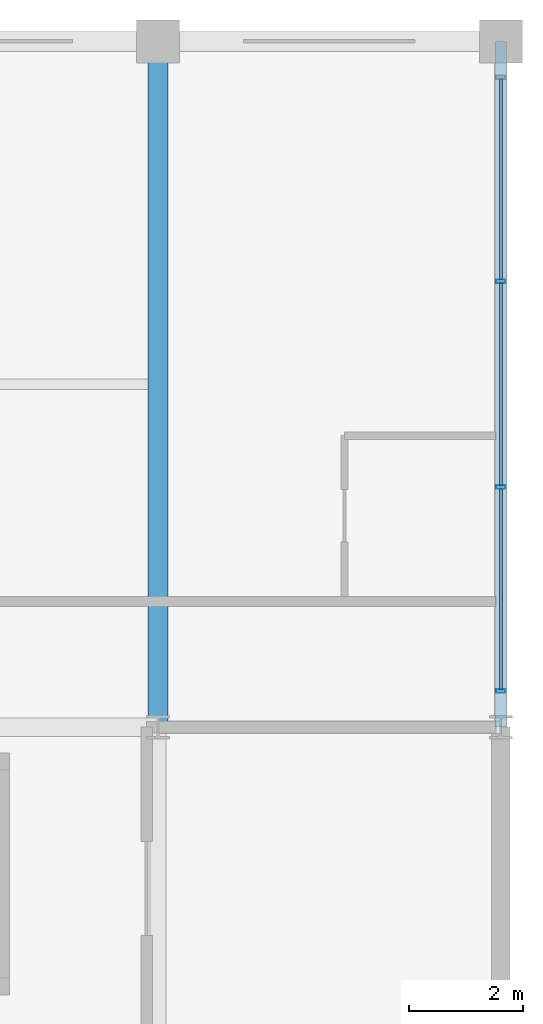
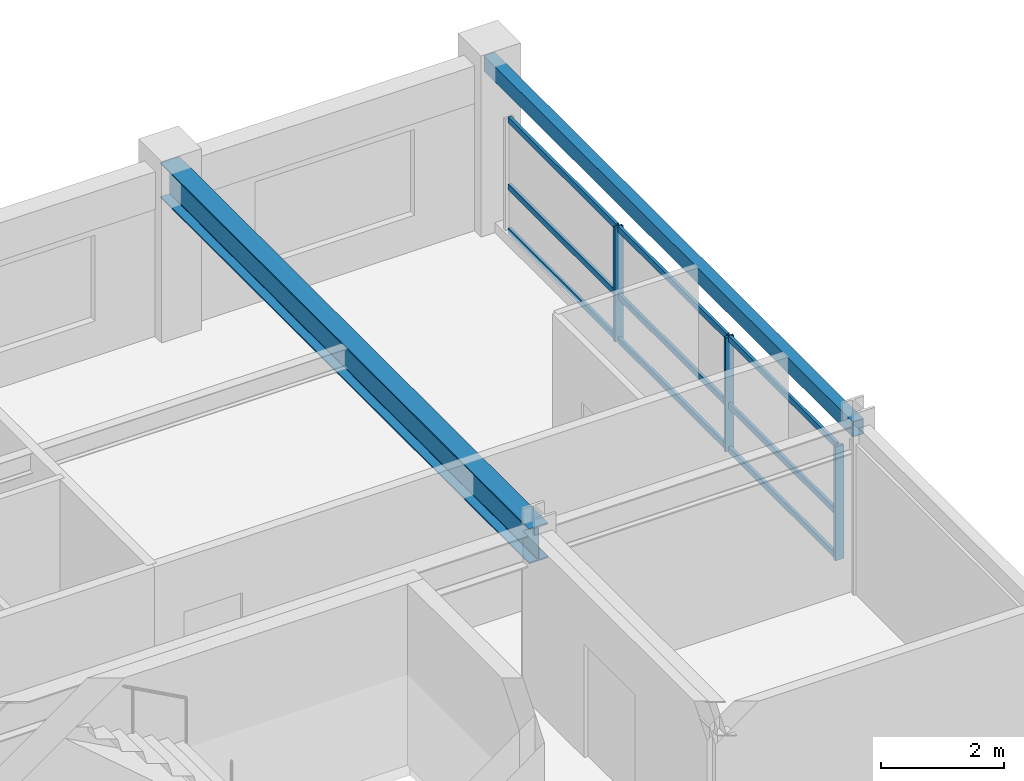
# One storey, part 12 of 21: 12 members, 2 beams, 1 element without a shape of its own.
"""IFC4 building model written with IfcOpenShell, lengths in metres."""

from ifc_helpers import new_model, si_unit, direction, frame, origin, origin_2d, place, context, subcontext, project, spatial, hollow_rectangle, i_section, extrude, material, material_profile, profile_set, type_object, element, aggregate, save


model = new_model("IFC4")

# Units and contexts
model_context = context("Model", 3, precision=1e-05, world=origin(), true_north=direction((0.0, 1.0)))
body_context = subcontext(model_context, "Body", "Model", "MODEL_VIEW")
ifc_project = project(units=[si_unit("LENGTHUNIT", "METRE"), si_unit("AREAUNIT", "SQUARE_METRE"), si_unit("VOLUMEUNIT", "CUBIC_METRE"), si_unit("PLANEANGLEUNIT", "RADIAN"), si_unit("MASSUNIT", "GRAM", prefix="KILO")], contexts=[model_context])

# Site, building, storey
site_placement = place(None, origin())
site = spatial("IfcSite", under=ifc_project, at=site_placement, CompositionType="ELEMENT")
building_placement = place(site_placement, origin())
building = spatial("IfcBuilding", under=site, at=building_placement, Name="Kaldorvane Square Convention Centre", CompositionType="ELEMENT")
storey_placement = place(building_placement, frame((0.0, 0.0, 49.19999694824219)))
storey = spatial("IfcBuildingStorey", under=building, at=storey_placement, Name="L11", CompositionType="ELEMENT", Elevation=49.19999694824219)

# Beams
ifc_material_1 = material(Name="Steel ASTM A992 Gr. 50", Category="steel")
ifc_material_profile_1 = material_profile(ifc_material_1, i_section(OverallWidth=0.354705810546875, OverallDepth=0.69549560546875, WebThickness=0.0153961181640625, FlangeThickness=0.0251007080078125, FilletRadius=0.01519775390625, at=origin_2d()), Name="W27X146")
ifc_profile_set_1 = profile_set([ifc_material_profile_1], Name="Steel ASTM A992 Gr. 50")
beam_type_1 = type_object("IfcBeamType", Name="BM-GR-W27X146", PredefinedType="BEAM", material=ifc_profile_set_1)
beam_1_placement = place(storey_placement, frame((78.0, 105.0, 2.9383087158203125), z_axis=(0.0, 1.0, 0.0), x_axis=(-1.0, 0.0, 0.0)))
element("IfcBeam", 1, at=beam_1_placement, inside=storey, type_object=beam_type_1, Name="Transverse Girder (L11)", PredefinedType="BEAM", context=body_context, shape_type="SweptSolid", body=[
    extrude(i_section(OverallWidth=0.354705810546875, OverallDepth=0.69549560546875, WebThickness=0.0153961181640625, FlangeThickness=0.0251007080078125, FilletRadius=0.01519775390625, at=origin_2d()), origin(), (0.0, 0.0, 1.0), 12.0),
])
ifc_material_2 = material(Name="Steel ASTM A500 Gr. C", Category="steel")
ifc_material_profile_2 = material_profile(ifc_material_2, hollow_rectangle(XDim=0.2032012939453125, YDim=0.3047943115234375, WallThickness=0.0088958740234375, at=origin_2d()), Name="HSS12X8X3/8")
ifc_profile_set_2 = profile_set([ifc_material_profile_2], Name="Steel ASTM A500 Gr. C")
beam_type_2 = type_object("IfcBeamType", Name="BM-SP-HSS12", PredefinedType="SPANDREL", material=ifc_profile_set_2)
beam_2_placement = place(storey_placement, frame((84.0, 105.0, 3.13360595703125), z_axis=(0.0, 1.0, 0.0), x_axis=(-1.0, 0.0, 0.0)))
element("IfcBeam", 2, at=beam_2_placement, inside=storey, type_object=beam_type_2, Name="End Spandrel (L11)", PredefinedType="SPANDREL", context=body_context, shape_type="SweptSolid", body=[
    extrude(hollow_rectangle(XDim=0.2032012939453125, YDim=0.3047943115234375, WallThickness=0.0088958740234375, at=origin_2d()), origin(), (0.0, 0.0, 1.0), 12.0),
])

# Curtain wall, members
ifc_material_3 = material(Name="Anodized Aluminum and Low-E Insulated Glazing", Category="aluminium")
curtain_wall_type = type_object("IfcCurtainWallType", Name="CW-UNI-HTL-A", PredefinedType="USERDEFINED", material=ifc_material_3)
curtain_wall_placement = place(storey_placement, origin())
curtain_wall = element("IfcCurtainWall", 3, at=curtain_wall_placement, inside=storey, type_object=curtain_wall_type, Name="Curtain Wall CW-10 (L11)", ObjectType="UNITISED GLAZING", PredefinedType="USERDEFINED")
ifc_material_profile_3 = material_profile(ifc_material_3, hollow_rectangle(XDim=0.05999755859375, YDim=0.160003662109375, WallThickness=0.003204345703125, at=origin_2d()), Name="CWM-160X60")
ifc_profile_set_3 = profile_set([ifc_material_profile_3], Name="Anodized Aluminum and Low-E Insulated Glazing")
member_type_1 = type_object("IfcMemberType", Name="CW-MUL-160", PredefinedType="MULLION", material=ifc_profile_set_3)
member_1_placement = place(storey_placement, frame((84.0, 105.6300048828125, 0.1500091552734375), z_axis=(0.0, 0.0, 1.0), x_axis=(0.0, 1.0, 0.0)))
member_1 = element("IfcMember", 4, at=member_1_placement, type_object=member_type_1, Name="CW-10 mullion 1", PredefinedType="MULLION", context=body_context, shape_type="SweptSolid", body=[
    extrude(hollow_rectangle(XDim=0.05999755859375, YDim=0.160003662109375, WallThickness=0.003204345703125, at=origin_2d()), origin(), (0.0, 0.0, 1.0), 2.2599945068359375),
])
member_2_placement = place(storey_placement, frame((84.0, 109.19999694824219, 0.1500091552734375), z_axis=(0.0, 0.0, 1.0), x_axis=(0.0, 1.0, 0.0)))
member_2 = element("IfcMember", 5, at=member_2_placement, type_object=member_type_1, Name="CW-10 mullion 2", PredefinedType="MULLION", context=body_context, shape_type="SweptSolid", body=[
    extrude(hollow_rectangle(XDim=0.05999755859375, YDim=0.160003662109375, WallThickness=0.003204345703125, at=origin_2d()), origin(), (0.0, 0.0, 1.0), 2.2599945068359375),
])
member_3_placement = place(storey_placement, frame((84.0, 112.80000305175781, 0.1500091552734375), z_axis=(0.0, 0.0, 1.0), x_axis=(0.0, 1.0, 0.0)))
member_3 = element("IfcMember", 6, at=member_3_placement, type_object=member_type_1, Name="CW-10 mullion 3", PredefinedType="MULLION", context=body_context, shape_type="SweptSolid", body=[
    extrude(hollow_rectangle(XDim=0.05999755859375, YDim=0.160003662109375, WallThickness=0.003204345703125, at=origin_2d()), origin(), (0.0, 0.0, 1.0), 2.2599945068359375),
])
ifc_material_profile_4 = material_profile(ifc_material_3, hollow_rectangle(XDim=0.05499267578125, YDim=0.1199951171875, WallThickness=0.0030059814453125, at=origin_2d()), Name="CWT-120X55")
ifc_profile_set_4 = profile_set([ifc_material_profile_4], Name="Anodized Aluminum and Low-E Insulated Glazing")
member_type_2 = type_object("IfcMemberType", Name="CW-TRN-120", PredefinedType="USERDEFINED", material=ifc_profile_set_4)
member_4_placement = place(storey_placement, frame((84.0, 105.66000366210938, 0.1775054931640625), z_axis=(0.0, 1.0, 0.0), x_axis=(-1.0, 0.0, 0.0)))
member_4 = element("IfcMember", 7, at=member_4_placement, type_object=member_type_2, Name="CW-10 transom 1.1", ObjectType="TRANSOM", PredefinedType="USERDEFINED", context=body_context, shape_type="SweptSolid", body=[
    extrude(hollow_rectangle(XDim=0.05499267578125, YDim=0.1199951171875, WallThickness=0.0030059814453125, at=origin_2d()), origin(), (0.0, 0.0, 1.0), 3.5099945068359375),
])
member_5_placement = place(storey_placement, frame((84.0, 105.66000366210938, 1.0500030517578125), z_axis=(0.0, 1.0, 0.0), x_axis=(-1.0, 0.0, 0.0)))
member_5 = element("IfcMember", 8, at=member_5_placement, type_object=member_type_2, Name="CW-10 transom 1.2", ObjectType="TRANSOM", PredefinedType="USERDEFINED", context=body_context, shape_type="SweptSolid", body=[
    extrude(hollow_rectangle(XDim=0.05499267578125, YDim=0.1199951171875, WallThickness=0.0030059814453125, at=origin_2d()), origin(), (0.0, 0.0, 1.0), 3.5099945068359375),
])
member_6_placement = place(storey_placement, frame((84.0, 105.66000366210938, 2.38250732421875), z_axis=(0.0, 1.0, 0.0), x_axis=(-1.0, 0.0, 0.0)))
member_6 = element("IfcMember", 9, at=member_6_placement, type_object=member_type_2, Name="CW-10 transom 1.3", ObjectType="TRANSOM", PredefinedType="USERDEFINED", context=body_context, shape_type="SweptSolid", body=[
    extrude(hollow_rectangle(XDim=0.05499267578125, YDim=0.1199951171875, WallThickness=0.0030059814453125, at=origin_2d()), origin(), (0.0, 0.0, 1.0), 3.5099945068359375),
])
member_7_placement = place(storey_placement, frame((84.0, 109.22999572753906, 0.1775054931640625), z_axis=(0.0, 1.0, 0.0), x_axis=(-1.0, 0.0, 0.0)))
member_7 = element("IfcMember", 10, at=member_7_placement, type_object=member_type_2, Name="CW-10 transom 2.1", ObjectType="TRANSOM", PredefinedType="USERDEFINED", context=body_context, shape_type="SweptSolid", body=[
    extrude(hollow_rectangle(XDim=0.05499267578125, YDim=0.1199951171875, WallThickness=0.0030059814453125, at=origin_2d()), origin(), (0.0, 0.0, 1.0), 3.540008544921875),
])
member_8_placement = place(storey_placement, frame((84.0, 109.22999572753906, 1.0500030517578125), z_axis=(0.0, 1.0, 0.0), x_axis=(-1.0, 0.0, 0.0)))
member_8 = element("IfcMember", 11, at=member_8_placement, type_object=member_type_2, Name="CW-10 transom 2.2", ObjectType="TRANSOM", PredefinedType="USERDEFINED", context=body_context, shape_type="SweptSolid", body=[
    extrude(hollow_rectangle(XDim=0.05499267578125, YDim=0.1199951171875, WallThickness=0.0030059814453125, at=origin_2d()), origin(), (0.0, 0.0, 1.0), 3.540008544921875),
])
member_9_placement = place(storey_placement, frame((84.0, 109.22999572753906, 2.38250732421875), z_axis=(0.0, 1.0, 0.0), x_axis=(-1.0, 0.0, 0.0)))
member_9 = element("IfcMember", 12, at=member_9_placement, type_object=member_type_2, Name="CW-10 transom 2.3", ObjectType="TRANSOM", PredefinedType="USERDEFINED", context=body_context, shape_type="SweptSolid", body=[
    extrude(hollow_rectangle(XDim=0.05499267578125, YDim=0.1199951171875, WallThickness=0.0030059814453125, at=origin_2d()), origin(), (0.0, 0.0, 1.0), 3.540008544921875),
])
member_10_placement = place(storey_placement, frame((84.0, 112.83000183105469, 0.1775054931640625), z_axis=(0.0, 1.0, 0.0), x_axis=(-1.0, 0.0, 0.0)))
member_10 = element("IfcMember", 13, at=member_10_placement, type_object=member_type_2, Name="CW-10 transom 3.1", ObjectType="TRANSOM", PredefinedType="USERDEFINED", context=body_context, shape_type="SweptSolid", body=[
    extrude(hollow_rectangle(XDim=0.05499267578125, YDim=0.1199951171875, WallThickness=0.0030059814453125, at=origin_2d()), origin(), (0.0, 0.0, 1.0), 3.5099945068359375),
])
member_11_placement = place(storey_placement, frame((84.0, 112.83000183105469, 1.0500030517578125), z_axis=(0.0, 1.0, 0.0), x_axis=(-1.0, 0.0, 0.0)))
member_11 = element("IfcMember", 14, at=member_11_placement, type_object=member_type_2, Name="CW-10 transom 3.2", ObjectType="TRANSOM", PredefinedType="USERDEFINED", context=body_context, shape_type="SweptSolid", body=[
    extrude(hollow_rectangle(XDim=0.05499267578125, YDim=0.1199951171875, WallThickness=0.0030059814453125, at=origin_2d()), origin(), (0.0, 0.0, 1.0), 3.5099945068359375),
])
member_12_placement = place(storey_placement, frame((84.0, 112.83000183105469, 2.38250732421875), z_axis=(0.0, 1.0, 0.0), x_axis=(-1.0, 0.0, 0.0)))
member_12 = element("IfcMember", 15, at=member_12_placement, type_object=member_type_2, Name="CW-10 transom 3.3", ObjectType="TRANSOM", PredefinedType="USERDEFINED", context=body_context, shape_type="SweptSolid", body=[
    extrude(hollow_rectangle(XDim=0.05499267578125, YDim=0.1199951171875, WallThickness=0.0030059814453125, at=origin_2d()), origin(), (0.0, 0.0, 1.0), 3.5099945068359375),
])
aggregate(curtain_wall, [member_1, member_2, member_3, member_4, member_5, member_6, member_7, member_8, member_9, member_10, member_11, member_12])

save(model, "model.ifc")
